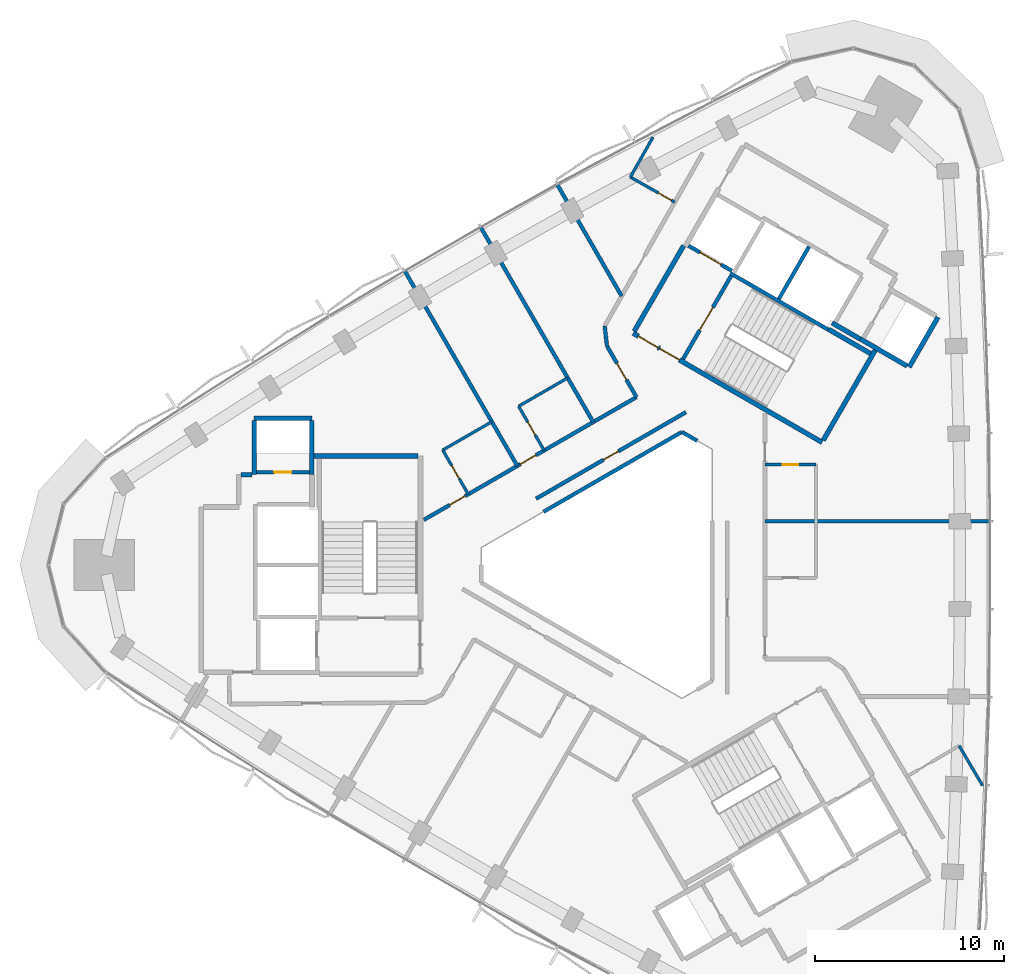
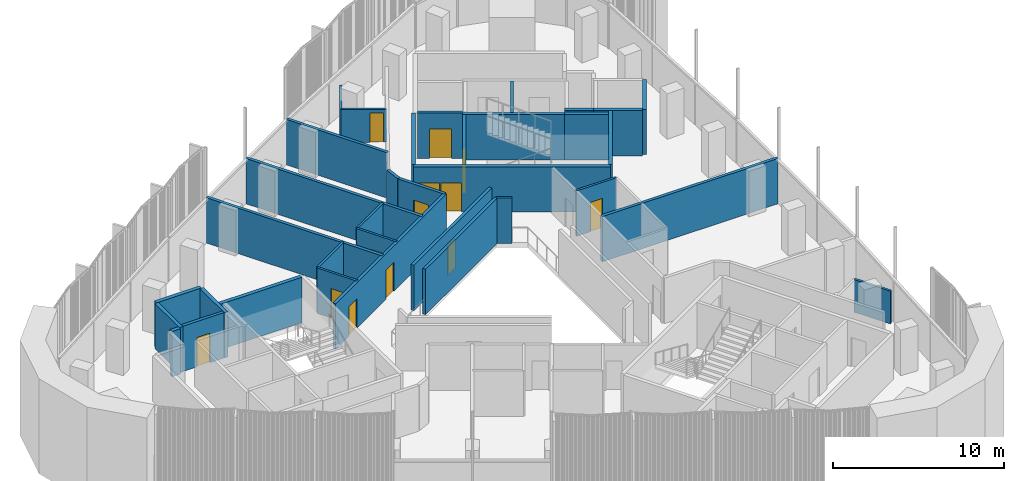
# One storey, part 9 of 13: 35 walls, 13 doors, 13 openings.
"""IFC4 building model written with IfcOpenShell, lengths in metres."""

from ifc_helpers import new_model, si_unit, direction, frame, frame_2d, origin, place, context, subcontext, project, spatial, rectangle, extrude, material, layer, layer_set, type_object, element, fill, save


model = new_model("IFC4")

# Units and contexts
model_context = context("Model", 3, precision=1e-05, world=origin(), true_north=direction((0.0, 1.0)))
body_context = subcontext(model_context, "Body", "Model", "MODEL_VIEW")
ifc_project = project(units=[si_unit("LENGTHUNIT", "METRE"), si_unit("AREAUNIT", "SQUARE_METRE"), si_unit("VOLUMEUNIT", "CUBIC_METRE"), si_unit("PLANEANGLEUNIT", "RADIAN"), si_unit("MASSUNIT", "GRAM", prefix="KILO")], contexts=[model_context])

# Site, building, storey
site_placement = place(None, origin())
site = spatial("IfcSite", under=ifc_project, at=site_placement, CompositionType="ELEMENT")
building_placement = place(site_placement, origin())
building = spatial("IfcBuilding", under=site, at=building_placement, Name="Tamra Quay Hotel Tower", CompositionType="ELEMENT")
storey_placement = place(building_placement, frame((0.0, 0.0, 204.39990234375)))
storey = spatial("IfcBuildingStorey", under=building, at=storey_placement, Name="L51", CompositionType="ELEMENT", Elevation=204.39990234375)

# Wall, opening, door
ifc_material_1 = material(Name="Concrete M70", Category="concrete")
ifc_layer_1 = layer(ifc_material_1, 0.199951171875)
ifc_layer_set_1 = layer_set([ifc_layer_1], Name="Concrete M70 core wall 200")
wall_type_1 = type_object("IfcWallType", Name="Concrete M70 core wall 200", PredefinedType="SHEAR", material=ifc_layer_set_1)
wall_1_placement = place(storey_placement, frame((-19.51123046875, 4.91015625, 0.0), z_axis=(0.0, 0.0, 1.0), x_axis=(1.0, 0.0, 0.0)))
wall_1 = element("IfcWall", 1, at=wall_1_placement, inside=storey, type_object=wall_type_1, Name="CW2", PredefinedType="SHEAR", context=body_context, shape_type="SweptSolid", body=[
    extrude(rectangle(XDim=2.7978515625, YDim=0.199951171875, at=frame_2d((1.39892578125, 0.0))), origin(), (0.0, 0.0, 1.0), 3.25),
])
opening_1_placement = place(wall_1_placement, frame((0.948974609375, 0.0, 0.0)))
opening_1 = element("IfcOpeningElement", 2, at=opening_1_placement, cuts=wall_1, Name="Opening D1", PredefinedType="OPENING", context=body_context, shape_type="SweptSolid", body=[
    extrude(rectangle(XDim=0.89990234375, YDim=2.10009765625, at=frame_2d((0.449951171875, 1.050048828125))), frame((0.0, 0.10986328125, 0.0), z_axis=(0.0, -1.0, 0.0), x_axis=(1.0, 0.0, 0.0)), (0.0, 0.0, 1.0), 0.219970703125),
])
ifc_material_2 = material(Name="Core door D1 900x2100 RH")
door_type_1 = type_object("IfcDoorType", Name="Core door D1 900x2100 RH", OperationType="NOTDEFINED", PredefinedType="DOOR", material=ifc_material_2)
door_1_placement = place(opening_1_placement, origin())
door_1 = element("IfcDoor", 3, at=door_1_placement, inside=storey, type_object=door_type_1, Name="D1", OperationType="SINGLE_SWING_RIGHT", OverallHeight=2.10009765625, OverallWidth=0.89990234375, PredefinedType="DOOR", context=body_context, shape_type="SweptSolid", body=[
    extrude(rectangle(XDim=0.89990234375, YDim=2.10009765625, at=frame_2d((0.449951171875, 1.050048828125))), frame((0.0, 0.02490234375, 0.0), z_axis=(0.0, -1.0, 0.0), x_axis=(1.0, 0.0, 0.0)), (0.0, 0.0, 1.0), 0.050048828125),
])
fill(opening_1, door_1)

# Wall
wall_2_placement = place(storey_placement, frame((10.7431640625, 12.4599609375, 0.0), z_axis=(0.0, 0.0, 1.0), x_axis=(-0.866018848283, 0.500011354289, 0.0)))
element("IfcWall", 4, at=wall_2_placement, inside=storey, type_object=wall_type_1, Name="CW2", PredefinedType="SHEAR", context=body_context, shape_type="SweptSolid", body=[
    extrude(rectangle(XDim=5.973876953125, YDim=0.199951171875, at=frame_2d((2.98681640625, 0.0))), origin(), (0.0, 0.0, 1.0), 3.25),
])

# Wall, opening, door
wall_3_placement = place(storey_placement, frame((3.056640625, 10.89453125, 0.0), z_axis=(0.0, 0.0, 1.0), x_axis=(0.500027839223, 0.866009330205, 0.0)))
wall_3 = element("IfcWall", 5, at=wall_3_placement, inside=storey, type_object=wall_type_1, Name="CW2", PredefinedType="SHEAR", context=body_context, shape_type="SweptSolid", body=[
    extrude(rectangle(XDim=5.097900390625, YDim=0.199951171875, at=frame_2d((2.548828125, 0.0))), origin(), (0.0, 0.0, 1.0), 3.25),
])
opening_2_placement = place(wall_3_placement, frame((1.77392578125, 0.0, 0.0)))
opening_2 = element("IfcOpeningElement", 6, at=opening_2_placement, cuts=wall_3, Name="Opening FD2", PredefinedType="OPENING", context=body_context, shape_type="SweptSolid", body=[
    extrude(rectangle(XDim=1.39990234375, YDim=2.10009765625, at=frame_2d((0.699951171875, 1.050048828125))), frame((0.0, 0.10986328125, 0.0), z_axis=(0.0, -1.0, 0.0), x_axis=(1.0, 0.0, 0.0)), (0.0, 0.0, 1.0), 0.219970703125),
])
ifc_material_3 = material(Name="Core door FD2 1400x2100 LH")
door_type_2 = type_object("IfcDoorType", Name="Core door FD2 1400x2100 LH", OperationType="NOTDEFINED", PredefinedType="DOOR", material=ifc_material_3)
door_2_placement = place(opening_2_placement, origin())
door_2 = element("IfcDoor", 7, at=door_2_placement, inside=storey, type_object=door_type_2, Name="FD2", OperationType="SINGLE_SWING_LEFT", OverallHeight=2.10009765625, OverallWidth=1.39990234375, PredefinedType="DOOR", context=body_context, shape_type="SweptSolid", body=[
    extrude(rectangle(XDim=1.39990234375, YDim=2.10009765625, at=frame_2d((0.699951171875, 1.050048828125))), frame((0.0, 0.02490234375, 0.0), z_axis=(0.0, -1.0, 0.0), x_axis=(1.0, 0.0, 0.0)), (0.0, 0.0, 1.0), 0.050048828125),
])
fill(opening_2, door_2)

# Wall
wall_4_placement = place(storey_placement, frame((8.131591796875, 14.08447265625, 0.0), z_axis=(0.0, 0.0, 1.0), x_axis=(0.500030834389, 0.86600760081, 0.0)))
element("IfcWall", 8, at=wall_4_placement, inside=storey, type_object=wall_type_1, Name="CW2", PredefinedType="SHEAR", context=body_context, shape_type="SweptSolid", body=[
    extrude(rectangle(XDim=3.197998046875, YDim=0.199951171875, at=frame_2d((1.59912109375, 0.0))), origin(), (0.0, 0.0, 1.0), 3.25),
])

# Wall, opening, door
wall_5_placement = place(storey_placement, frame((5.646240234375, 15.575927734375, 0.0), z_axis=(0.0, 0.0, 1.0), x_axis=(-0.866018407898, 0.500012117035, 0.0)))
wall_5 = element("IfcWall", 9, at=wall_5_placement, inside=storey, type_object=wall_type_1, Name="CW2", PredefinedType="SHEAR", context=body_context, shape_type="SweptSolid", body=[
    extrude(rectangle(XDim=2.65087890625, YDim=0.199951171875, at=frame_2d((1.325439453125, 0.0))), origin(), (0.0, 0.0, 1.0), 3.25),
])
opening_3_placement = place(wall_5_placement, frame((0.65185546875, 0.0, 0.0)))
opening_3 = element("IfcOpeningElement", 10, at=opening_3_placement, cuts=wall_5, Name="Opening LD", PredefinedType="OPENING", context=body_context, shape_type="SweptSolid", body=[
    extrude(rectangle(XDim=1.300048828125, YDim=2.10009765625, at=frame_2d((0.64990234375, 1.050048828125))), frame((0.0, 0.10986328125, 0.0), z_axis=(0.0, -1.0, 0.0), x_axis=(1.0, 0.0, 0.0)), (0.0, 0.0, 1.0), 0.219970703125),
])
ifc_material_4 = material(Name="Landing door LD 1300 sliding to left")
door_type_3 = type_object("IfcDoorType", Name="Landing door LD 1300 sliding to left", OperationType="NOTDEFINED", PredefinedType="DOOR", material=ifc_material_4)
door_3_placement = place(opening_3_placement, origin())
door_3 = element("IfcDoor", 11, at=door_3_placement, inside=storey, type_object=door_type_3, Name="LD", OperationType="SLIDING_TO_LEFT", OverallHeight=2.10009765625, OverallWidth=1.300048828125, PredefinedType="DOOR", context=body_context, shape_type="SweptSolid", body=[
    extrude(rectangle(XDim=1.300048828125, YDim=2.10009765625, at=frame_2d((0.64990234375, 1.050048828125))), frame((0.0, 0.02490234375, 0.0), z_axis=(0.0, -1.0, 0.0), x_axis=(1.0, 0.0, 0.0)), (0.0, 0.0, 1.0), 0.050048828125),
])
fill(opening_3, door_3)

# Walls
ifc_layer_2 = layer(ifc_material_1, 0.25)
ifc_layer_set_2 = layer_set([ifc_layer_2], Name="Concrete M70 core wall 250")
wall_type_2 = type_object("IfcWallType", Name="Concrete M70 core wall 250", PredefinedType="SHEAR", material=ifc_layer_set_2)
wall_6_placement = place(storey_placement, frame((-16.47216796875, 5.77490234375, 0.0), z_axis=(0.0, 0.0, 1.0), x_axis=(1.0, 0.0, 0.0)))
element("IfcWall", 12, at=wall_6_placement, inside=storey, type_object=wall_type_2, Name="CW1", PredefinedType="SHEAR", context=body_context, shape_type="SweptSolid", body=[
    extrude(rectangle(XDim=5.509521484375, YDim=0.25, at=frame_2d((2.7548828125, 0.0))), origin(), (0.0, 0.0, 1.0), 3.25),
])
wall_7_placement = place(storey_placement, frame((-19.63720703125, 7.77490234375, 0.0), z_axis=(0.0, 0.0, 1.0), x_axis=(1.0, 0.0, 0.0)))
element("IfcWall", 13, at=wall_7_placement, inside=storey, type_object=wall_type_2, Name="CW1", PredefinedType="SHEAR", context=body_context, shape_type="SweptSolid", body=[
    extrude(rectangle(XDim=3.0498046875, YDim=0.25, at=frame_2d((1.52490234375, 0.0))), origin(), (0.0, 0.0, 1.0), 3.25),
])
for number, where, z_axis, x_axis, name in (
    (14, (-16.58740234375, 7.649658203125, 0.0), (0.0, 0.0, 1.0), (0.0, -1.0, 0.0), "CW1"),
    (15, (-19.63720703125, 4.784912109375, 0.0), (0.0, 0.0, 1.0), (0.0, 1.0, 0.0), "CW1"),
):
    element("IfcWall", number, at=place(storey_placement, frame(where, z_axis=z_axis, x_axis=x_axis)), inside=storey, type_object=wall_type_2, Name=name, PredefinedType="SHEAR", context=body_context, shape_type="SweptSolid", body=[
        extrude(rectangle(XDim=2.86474609375, YDim=0.25, at=frame_2d((1.432373046875, 0.0))), origin(), (0.0, 0.0, 1.0), 3.25),
    ])
wall_8_placement = place(storey_placement, frame((-20.32177734375, 4.784912109375, 0.0), z_axis=(0.0, 0.0, 1.0), x_axis=(1.0, 0.0, 0.0)))
element("IfcWall", 16, at=wall_8_placement, inside=storey, type_object=wall_type_2, Name="CW1", PredefinedType="SHEAR", context=body_context, shape_type="SweptSolid", body=[
    extrude(rectangle(XDim=0.55908203125, YDim=0.25, at=frame_2d((0.279541015625, 0.0))), origin(), (0.0, 0.0, 1.0), 3.25),
])

# Wall, openings, doors
wall_9_placement = place(storey_placement, frame((10.419921875, 6.497802734375, 0.0), z_axis=(0.0, 0.0, 1.0), x_axis=(-0.866021906294, 0.500006057782, 0.0)))
wall_9 = element("IfcWall", 17, at=wall_9_placement, inside=storey, type_object=wall_type_2, Name="CW1", PredefinedType="SHEAR", context=body_context, shape_type="SweptSolid", body=[
    extrude(rectangle(XDim=11.550048828125, YDim=0.25, at=frame_2d((5.77490234375, 0.0))), origin(), (0.0, 0.0, 1.0), 3.25),
])
opening_4_placement = place(wall_9_placement, frame((10.02490234375, 0.0, 0.0)))
opening_4 = element("IfcOpeningElement", 18, at=opening_4_placement, cuts=wall_9, Name="Opening FD1", PredefinedType="OPENING", context=body_context, shape_type="SweptSolid", body=[
    extrude(rectangle(XDim=1.199951171875, YDim=2.10009765625, at=frame_2d((0.60009765625, 1.050048828125))), frame((0.0, 0.135009765625, 0.0), z_axis=(0.0, -1.0, 0.0), x_axis=(1.0, 0.0, 0.0)), (0.0, 0.0, 1.0), 0.27001953125),
])
opening_5_placement = place(wall_9_placement, frame((8.724853515625, 0.0, 0.0)))
opening_5 = element("IfcOpeningElement", 19, at=opening_5_placement, cuts=wall_9, Name="Opening FD1", PredefinedType="OPENING", context=body_context, shape_type="SweptSolid", body=[
    extrude(rectangle(XDim=1.199951171875, YDim=2.10009765625, at=frame_2d((0.60009765625, 1.050048828125))), frame((0.0, 0.135009765625, 0.0), z_axis=(0.0, -1.0, 0.0), x_axis=(1.0, 0.0, 0.0)), (0.0, 0.0, 1.0), 0.27001953125),
])
ifc_material_5 = material(Name="Core door FD1 1200x2100 LH")
door_type_4 = type_object("IfcDoorType", Name="Core door FD1 1200x2100 LH", OperationType="NOTDEFINED", PredefinedType="DOOR", material=ifc_material_5)
door_4_placement = place(opening_4_placement, origin())
door_4 = element("IfcDoor", 20, at=door_4_placement, inside=storey, type_object=door_type_4, Name="FD1", OperationType="SINGLE_SWING_LEFT", OverallHeight=2.10009765625, OverallWidth=1.199951171875, PredefinedType="DOOR", context=body_context, shape_type="SweptSolid", body=[
    extrude(rectangle(XDim=1.199951171875, YDim=2.10009765625, at=frame_2d((0.60009765625, 1.050048828125))), frame((0.0, 0.02490234375, 0.0), z_axis=(0.0, -1.0, 0.0), x_axis=(1.0, 0.0, 0.0)), (0.0, 0.0, 1.0), 0.050048828125),
])
fill(opening_4, door_4)
ifc_material_6 = material(Name="Core door FD1 1200x2100 RH")
door_type_5 = type_object("IfcDoorType", Name="Core door FD1 1200x2100 RH", OperationType="NOTDEFINED", PredefinedType="DOOR", material=ifc_material_6)
door_5_placement = place(opening_5_placement, origin())
door_5 = element("IfcDoor", 21, at=door_5_placement, inside=storey, type_object=door_type_5, Name="FD1", OperationType="SINGLE_SWING_RIGHT", OverallHeight=2.10009765625, OverallWidth=1.199951171875, PredefinedType="DOOR", context=body_context, shape_type="SweptSolid", body=[
    extrude(rectangle(XDim=1.199951171875, YDim=2.10009765625, at=frame_2d((0.60009765625, 1.050048828125))), frame((0.0, 0.02490234375, 0.0), z_axis=(0.0, -1.0, 0.0), x_axis=(1.0, 0.0, 0.0)), (0.0, 0.0, 1.0), 0.050048828125),
])
fill(opening_5, door_5)

# Walls
wall_10_placement = place(storey_placement, frame((0.47998046875, 12.38134765625, 0.0), z_axis=(0.0, 0.0, 1.0), x_axis=(0.49999885962, 0.866026062182, 0.0)))
element("IfcWall", 22, at=wall_10_placement, inside=storey, type_object=wall_type_2, Name="CW1", PredefinedType="SHEAR", context=body_context, shape_type="SweptSolid", body=[
    extrude(rectangle(XDim=5.224609375, YDim=0.25, at=frame_2d((2.6123046875, 0.0))), origin(), (0.0, 0.0, 1.0), 3.25),
])
wall_11_placement = place(storey_placement, frame((13.237548828125, 11.3779296875, 0.0), z_axis=(0.0, 0.0, 1.0), x_axis=(-0.500008851346, -0.866020293397, 0.0)))
element("IfcWall", 23, at=wall_11_placement, inside=storey, type_object=wall_type_2, Name="CW1", PredefinedType="SHEAR", context=body_context, shape_type="SweptSolid", body=[
    extrude(rectangle(XDim=5.509765625, YDim=0.25, at=frame_2d((2.7548828125, 0.0))), origin(), (0.0, 0.0, 1.0), 3.25),
])
wall_12_placement = place(storey_placement, frame((16.552001953125, 13.118896484375, 0.0), z_axis=(0.0, 0.0, 1.0), x_axis=(-0.499978833458, -0.866037623948, 0.0)))
element("IfcWall", 24, at=wall_12_placement, inside=storey, type_object=wall_type_2, Name="CW1", PredefinedType="SHEAR", context=body_context, shape_type="SweptSolid", body=[
    extrude(rectangle(XDim=3.050048828125, YDim=0.25, at=frame_2d((1.52490234375, 0.0))), origin(), (0.0, 0.0, 1.0), 3.25),
])
wall_13_placement = place(storey_placement, frame((14.91845703125, 10.540283203125, 0.0), z_axis=(0.0, 0.0, 1.0), x_axis=(-0.866063538972, 0.499933942099, 0.0)))
element("IfcWall", 25, at=wall_13_placement, inside=storey, type_object=wall_type_2, Name="CW1", PredefinedType="SHEAR", context=body_context, shape_type="SweptSolid", body=[
    extrude(rectangle(XDim=2.86474609375, YDim=0.25, at=frame_2d((1.432373046875, 0.0))), origin(), (0.0, 0.0, 1.0), 3.25),
])
wall_14_placement = place(storey_placement, frame((10.756591796875, 12.481201171875, 0.0), z_axis=(0.0, 0.0, 1.0), x_axis=(0.866022940537, -0.500004266446, 0.0)))
element("IfcWall", 26, at=wall_14_placement, inside=storey, type_object=wall_type_2, Name="CW1", PredefinedType="SHEAR", context=body_context, shape_type="SweptSolid", body=[
    extrude(rectangle(XDim=2.57470703125, YDim=0.25, at=frame_2d((1.287353515625, 0.0))), origin(), (0.0, 0.0, 1.0), 3.25),
])
wall_15_placement = place(storey_placement, frame((12.4326171875, 11.9638671875, 0.0), z_axis=(0.0, 0.0, 1.0), x_axis=(-0.866038183914, 0.499977863513, 0.0)))
element("IfcWall", 27, at=wall_15_placement, inside=storey, type_object=wall_type_2, Name="CW1", PredefinedType="SHEAR", context=body_context, shape_type="SweptSolid", body=[
    extrude(rectangle(XDim=1.7099609375, YDim=0.25, at=frame_2d((0.85498046875, 0.0))), origin(), (0.0, 0.0, 1.0), 3.25),
])

# Wall, openings, doors
ifc_material_7 = material(Name="Partition corridor wall")
ifc_layer_3 = layer(ifc_material_7, 0.199951171875)
ifc_layer_set_3 = layer_set([ifc_layer_3], Name="Partition corridor wall")
wall_type_3 = type_object("IfcWallType", Name="Partition corridor wall", PredefinedType="PARTITIONING", material=ifc_layer_set_3)
wall_16_placement = place(storey_placement, frame((-10.65234375, 2.394287109375, 0.0), z_axis=(0.0, 0.0, 1.0), x_axis=(0.866016271077, 0.500015817979, 0.0)))
wall_16 = element("IfcWall", 28, at=wall_16_placement, inside=storey, type_object=wall_type_3, Name="W-C", PredefinedType="PARTITIONING", context=body_context, shape_type="SweptSolid", body=[
    extrude(rectangle(XDim=12.99072265625, YDim=0.199951171875, at=frame_2d((6.495361328125, 0.0))), origin(), (0.0, 0.0, 1.0), 3.25),
])
opening_6_placement = place(wall_16_placement, frame((5.897705078125, 0.0, 0.0)))
opening_6 = element("IfcOpeningElement", 29, at=opening_6_placement, cuts=wall_16, Name="Opening L51-D004", PredefinedType="OPENING", context=body_context, shape_type="SweptSolid", body=[
    extrude(rectangle(XDim=0.949951171875, YDim=2.10009765625, at=frame_2d((0.47509765625, 1.050048828125))), frame((0.0, 0.10986328125, 0.0), z_axis=(0.0, -1.0, 0.0), x_axis=(1.0, 0.0, 0.0)), (0.0, 0.0, 1.0), 0.219970703125),
])
opening_7_placement = place(wall_16_placement, frame((1.571044921875, 0.0, 0.0)))
opening_7 = element("IfcOpeningElement", 30, at=opening_7_placement, cuts=wall_16, Name="Opening L51-D006", PredefinedType="OPENING", context=body_context, shape_type="SweptSolid", body=[
    extrude(rectangle(XDim=0.949951171875, YDim=2.10009765625, at=frame_2d((0.47509765625, 1.050048828125))), frame((0.0, 0.10986328125, 0.0), z_axis=(0.0, -1.0, 0.0), x_axis=(1.0, 0.0, 0.0)), (0.0, 0.0, 1.0), 0.219970703125),
])
ifc_material_8 = material(Name="Door guest room 950x2100")
door_type_6 = type_object("IfcDoorType", Name="Door guest room 950x2100", OperationType="NOTDEFINED", PredefinedType="DOOR", material=ifc_material_8)
door_6_placement = place(opening_6_placement, origin())
door_6 = element("IfcDoor", 31, at=door_6_placement, inside=storey, type_object=door_type_6, Name="L51-D004", OperationType="SINGLE_SWING_LEFT", OverallHeight=2.10009765625, OverallWidth=0.949951171875, PredefinedType="DOOR", context=body_context, shape_type="SweptSolid", body=[
    extrude(rectangle(XDim=0.949951171875, YDim=2.10009765625, at=frame_2d((0.47509765625, 1.050048828125))), frame((0.0, 0.02490234375, 0.0), z_axis=(0.0, -1.0, 0.0), x_axis=(1.0, 0.0, 0.0)), (0.0, 0.0, 1.0), 0.050048828125),
])
fill(opening_6, door_6)
door_7_placement = place(opening_7_placement, origin())
door_7 = element("IfcDoor", 32, at=door_7_placement, inside=storey, type_object=door_type_6, Name="L51-D006", OperationType="SINGLE_SWING_LEFT", OverallHeight=2.10009765625, OverallWidth=0.949951171875, PredefinedType="DOOR", context=body_context, shape_type="SweptSolid", body=[
    extrude(rectangle(XDim=0.949951171875, YDim=2.10009765625, at=frame_2d((0.47509765625, 1.050048828125))), frame((0.0, 0.02490234375, 0.0), z_axis=(0.0, -1.0, 0.0), x_axis=(1.0, 0.0, 0.0)), (0.0, 0.0, 1.0), 0.050048828125),
])
fill(opening_7, door_7)

# Wall, opening, door
wall_17_placement = place(storey_placement, frame((-4.718017578125, 3.510986328125, 0.0), z_axis=(0.0, 0.0, 1.0), x_axis=(0.865989775611, 0.500061704731, 0.0)))
wall_17 = element("IfcWall", 33, at=wall_17_placement, inside=storey, type_object=wall_type_3, Name="W-C", PredefinedType="PARTITIONING", context=body_context, shape_type="SweptSolid", body=[
    extrude(rectangle(XDim=9.156982421875, YDim=0.199951171875, at=frame_2d((4.57861328125, 0.0))), origin(), (0.0, 0.0, 1.0), 3.25),
])
opening_8_placement = place(wall_17_placement, frame((4.12841796875, 0.0, 0.0)))
opening_8 = element("IfcOpeningElement", 34, at=opening_8_placement, cuts=wall_17, Name="Opening L51-D021", PredefinedType="OPENING", context=body_context, shape_type="SweptSolid", body=[
    extrude(rectangle(XDim=0.89990234375, YDim=2.10009765625, at=frame_2d((0.449951171875, 1.050048828125))), frame((0.0, 0.10986328125, 0.0), z_axis=(0.0, -1.0, 0.0), x_axis=(1.0, 0.0, 0.0)), (0.0, 0.0, 1.0), 0.219970703125),
])
ifc_material_9 = material(Name="Door service room 900x2100")
door_type_7 = type_object("IfcDoorType", Name="Door service room 900x2100", OperationType="NOTDEFINED", PredefinedType="DOOR", material=ifc_material_9)
door_8_placement = place(opening_8_placement, frame((0.89990234375, 0.0, 0.0), z_axis=(0.0, 0.0, 1.0), x_axis=(-1.0, 0.0, 0.0)))
door_8 = element("IfcDoor", 35, at=door_8_placement, inside=storey, type_object=door_type_7, Name="L51-D021", OperationType="SINGLE_SWING_LEFT", OverallHeight=2.10009765625, OverallWidth=0.89990234375, PredefinedType="DOOR", context=body_context, shape_type="SweptSolid", body=[
    extrude(rectangle(XDim=0.89990234375, YDim=2.10009765625, at=frame_2d((0.449951171875, 1.050048828125))), frame((0.0, 0.02490234375, 0.0), z_axis=(0.0, -1.0, 0.0), x_axis=(1.0, 0.0, 0.0)), (0.0, 0.0, 1.0), 0.050048828125),
])
fill(opening_8, door_8)

# Wall
wall_18_placement = place(storey_placement, frame((-1.0849609375, 12.64990234375, 0.0), z_axis=(0.0, 0.0, 1.0), x_axis=(0.113812454263, -0.993502252264, 0.0)))
element("IfcWall", 36, at=wall_18_placement, inside=storey, type_object=wall_type_3, Name="W-C", PredefinedType="PARTITIONING", context=body_context, shape_type="SweptSolid", body=[
    extrude(rectangle(XDim=1.061767578125, YDim=0.199951171875, at=frame_2d((0.53076171875, 0.0))), origin(), (0.0, 0.0, 1.0), 3.25),
])

# Wall, opening, door
wall_19_placement = place(storey_placement, frame((-0.964111328125, 11.594970703125, 0.0), z_axis=(0.0, 0.0, 1.0), x_axis=(0.500056215256, -0.865992945458, 0.0)))
wall_19 = element("IfcWall", 37, at=wall_19_placement, inside=storey, type_object=wall_type_3, Name="W-C", PredefinedType="PARTITIONING", context=body_context, shape_type="SweptSolid", body=[
    extrude(rectangle(XDim=3.123779296875, YDim=0.199951171875, at=frame_2d((1.56201171875, 0.0))), origin(), (0.0, 0.0, 1.0), 3.25),
])
opening_9_placement = place(wall_19_placement, frame((1.061767578125, 0.0, 0.0)))
opening_9 = element("IfcOpeningElement", 38, at=opening_9_placement, cuts=wall_19, Name="Opening L51-D003", PredefinedType="OPENING", context=body_context, shape_type="SweptSolid", body=[
    extrude(rectangle(XDim=1.0, YDim=2.10009765625, at=frame_2d((0.5, 1.050048828125))), frame((0.0, 0.10986328125, 0.0), z_axis=(0.0, -1.0, 0.0), x_axis=(1.0, 0.0, 0.0)), (0.0, 0.0, 1.0), 0.219970703125),
])
ifc_material_10 = material(Name="Door guest room 1000x2100")
door_type_8 = type_object("IfcDoorType", Name="Door guest room 1000x2100", OperationType="NOTDEFINED", PredefinedType="DOOR", material=ifc_material_10)
door_9_placement = place(opening_9_placement, frame((1.0, 0.0, 0.0), z_axis=(0.0, 0.0, 1.0), x_axis=(-1.0, 0.0, 0.0)))
door_9 = element("IfcDoor", 39, at=door_9_placement, inside=storey, type_object=door_type_8, Name="L51-D003", OperationType="SINGLE_SWING_LEFT", OverallHeight=2.10009765625, OverallWidth=1.0, PredefinedType="DOOR", context=body_context, shape_type="SweptSolid", body=[
    extrude(rectangle(XDim=1.0, YDim=2.10009765625, at=frame_2d((0.5, 1.050048828125))), frame((0.0, 0.02490234375, 0.0), z_axis=(0.0, -1.0, 0.0), x_axis=(1.0, 0.0, 0.0)), (0.0, 0.0, 1.0), 0.050048828125),
])
fill(opening_9, door_9)

ifc_material_11 = material(Name="Partition en-suite wall")
ifc_layer_4 = layer(ifc_material_11, 0.14990234375)
ifc_layer_set_4 = layer_set([ifc_layer_4], Name="Partition en-suite wall")
wall_type_4 = type_object("IfcWallType", Name="Partition en-suite wall", PredefinedType="PARTITIONING", material=ifc_layer_set_4)
wall_20_placement = place(storey_placement, frame((-9.655029296875, 6.0849609375, 0.0), z_axis=(0.0, 0.0, 1.0), x_axis=(0.500129820725, -0.865950438779, 0.0)))
wall_20 = element("IfcWall", 40, at=wall_20_placement, inside=storey, type_object=wall_type_4, Name="W-E", PredefinedType="PARTITIONING", context=body_context, shape_type="SweptSolid", body=[
    extrude(rectangle(XDim=2.697509765625, YDim=0.14990234375, at=frame_2d((1.3486328125, 0.0))), origin(), (0.0, 0.0, 1.0), 3.25),
])
opening_10_placement = place(wall_20_placement, frame((0.947509765625, 0.0, 0.0)))
opening_10 = element("IfcOpeningElement", 41, at=opening_10_placement, cuts=wall_20, Name="Opening L51-D007", PredefinedType="OPENING", context=body_context, shape_type="SweptSolid", body=[
    extrude(rectangle(XDim=0.800048828125, YDim=2.10009765625, at=frame_2d((0.39990234375, 1.050048828125))), frame((0.0, 0.0849609375, 0.0), z_axis=(0.0, -1.0, 0.0), x_axis=(1.0, 0.0, 0.0)), (0.0, 0.0, 1.0), 0.169921875),
])
ifc_material_12 = material(Name="Door en-suite 800x2100")
door_type_9 = type_object("IfcDoorType", Name="Door en-suite 800x2100", OperationType="NOTDEFINED", PredefinedType="DOOR", material=ifc_material_12)
door_10_placement = place(opening_10_placement, frame((0.800048828125, 0.0, 0.0), z_axis=(0.0, 0.0, 1.0), x_axis=(-1.0, 0.0, 0.0)))
door_10 = element("IfcDoor", 42, at=door_10_placement, inside=storey, type_object=door_type_9, Name="L51-D007", OperationType="SINGLE_SWING_LEFT", OverallHeight=2.10009765625, OverallWidth=0.800048828125, PredefinedType="DOOR", context=body_context, shape_type="SweptSolid", body=[
    extrude(rectangle(XDim=0.800048828125, YDim=2.10009765625, at=frame_2d((0.39990234375, 1.050048828125))), frame((0.0, 0.02490234375, 0.0), z_axis=(0.0, -1.0, 0.0), x_axis=(1.0, 0.0, 0.0)), (0.0, 0.0, 1.0), 0.050048828125),
])
fill(opening_10, door_10)

# Wall
wall_21_placement = place(storey_placement, frame((-9.653076171875, 6.089111328125, 0.0), z_axis=(0.0, 0.0, 1.0), x_axis=(0.866021254674, 0.500007186402, 0.0)))
element("IfcWall", 43, at=wall_21_placement, inside=storey, type_object=wall_type_4, Name="W-E", PredefinedType="PARTITIONING", context=body_context, shape_type="SweptSolid", body=[
    extrude(rectangle(XDim=2.99365234375, YDim=0.14990234375, at=frame_2d((1.496826171875, 0.0))), origin(), (0.0, 0.0, 1.0), 3.25),
])

# Wall, opening, door
wall_22_placement = place(storey_placement, frame((-5.639892578125, 8.406005859375, 0.0), z_axis=(0.0, 0.0, 1.0), x_axis=(0.50001992892, -0.866013897511, 0.0)))
wall_22 = element("IfcWall", 44, at=wall_22_placement, inside=storey, type_object=wall_type_4, Name="W-E", PredefinedType="PARTITIONING", context=body_context, shape_type="SweptSolid", body=[
    extrude(rectangle(XDim=2.69970703125, YDim=0.14990234375, at=frame_2d((1.349853515625, 0.0))), origin(), (0.0, 0.0, 1.0), 3.25),
])
opening_11_placement = place(wall_22_placement, frame((0.949951171875, 0.0, 0.0)))
opening_11 = element("IfcOpeningElement", 45, at=opening_11_placement, cuts=wall_22, Name="Opening L51-D005", PredefinedType="OPENING", context=body_context, shape_type="SweptSolid", body=[
    extrude(rectangle(XDim=0.800048828125, YDim=2.10009765625, at=frame_2d((0.39990234375, 1.050048828125))), frame((0.0, 0.0849609375, 0.0), z_axis=(0.0, -1.0, 0.0), x_axis=(1.0, 0.0, 0.0)), (0.0, 0.0, 1.0), 0.169921875),
])
door_11_placement = place(opening_11_placement, origin())
door_11 = element("IfcDoor", 46, at=door_11_placement, inside=storey, type_object=door_type_9, Name="L51-D005", OperationType="SINGLE_SWING_LEFT", OverallHeight=2.10009765625, OverallWidth=0.800048828125, PredefinedType="DOOR", context=body_context, shape_type="SweptSolid", body=[
    extrude(rectangle(XDim=0.800048828125, YDim=2.10009765625, at=frame_2d((0.39990234375, 1.050048828125))), frame((0.0, 0.02490234375, 0.0), z_axis=(0.0, -1.0, 0.0), x_axis=(1.0, 0.0, 0.0)), (0.0, 0.0, 1.0), 0.050048828125),
])
fill(opening_11, door_11)

# Wall
wall_23_placement = place(storey_placement, frame((-5.639892578125, 8.406005859375, 0.0), z_axis=(0.0, 0.0, 1.0), x_axis=(0.866010750942, 0.50002537861, 0.0)))
element("IfcWall", 47, at=wall_23_placement, inside=storey, type_object=wall_type_4, Name="W-E", PredefinedType="PARTITIONING", context=body_context, shape_type="SweptSolid", body=[
    extrude(rectangle(XDim=2.999755859375, YDim=0.14990234375, at=frame_2d((1.5, 0.0))), origin(), (0.0, 0.0, 1.0), 3.25),
])

# Wall, opening, door
wall_24_placement = place(storey_placement, frame((0.27392578125, 20.533935546875, 0.0), z_axis=(0.0, 0.0, 1.0), x_axis=(0.870234176559, -0.492638283072, 0.0)))
wall_24 = element("IfcWall", 48, at=wall_24_placement, inside=storey, type_object=wall_type_4, Name="W-E", PredefinedType="PARTITIONING", context=body_context, shape_type="SweptSolid", body=[
    extrude(rectangle(XDim=2.699462890625, YDim=0.14990234375, at=frame_2d((1.349609375, 0.0))), origin(), (0.0, 0.0, 1.0), 2.35009765625),
])
opening_12_placement = place(wall_24_placement, frame((1.69970703125, 0.0, 0.0)))
opening_12 = element("IfcOpeningElement", 49, at=opening_12_placement, cuts=wall_24, Name="Opening L51-D002", PredefinedType="OPENING", context=body_context, shape_type="SweptSolid", body=[
    extrude(rectangle(XDim=0.800048828125, YDim=2.10009765625, at=frame_2d((0.39990234375, 1.050048828125))), frame((0.0, 0.0849609375, 0.0), z_axis=(0.0, -1.0, 0.0), x_axis=(1.0, 0.0, 0.0)), (0.0, 0.0, 1.0), 0.169921875),
])
door_12_placement = place(opening_12_placement, frame((0.800048828125, 0.0, 0.0), z_axis=(0.0, 0.0, 1.0), x_axis=(-1.0, 0.0, 0.0)))
door_12 = element("IfcDoor", 50, at=door_12_placement, inside=storey, type_object=door_type_9, Name="L51-D002", OperationType="SINGLE_SWING_LEFT", OverallHeight=2.10009765625, OverallWidth=0.800048828125, PredefinedType="DOOR", context=body_context, shape_type="SweptSolid", body=[
    extrude(rectangle(XDim=0.800048828125, YDim=2.10009765625, at=frame_2d((0.39990234375, 1.050048828125))), frame((0.0, 0.02490234375, 0.0), z_axis=(0.0, -1.0, 0.0), x_axis=(1.0, 0.0, 0.0)), (0.0, 0.0, 1.0), 0.050048828125),
])
fill(opening_12, door_12)

# Wall
wall_25_placement = place(storey_placement, frame((0.27392578125, 20.533935546875, 0.0), z_axis=(0.0, 0.0, 1.0), x_axis=(0.492461641571, 0.870334149383, 0.0)))
element("IfcWall", 51, at=wall_25_placement, inside=storey, type_object=wall_type_4, Name="W-E", PredefinedType="PARTITIONING", context=body_context, shape_type="SweptSolid", body=[
    extrude(rectangle(XDim=2.4267578125, YDim=0.14990234375, at=frame_2d((1.21337890625, 0.0))), origin(), (0.0, 0.0, 1.0), 2.35009765625),
])

# Wall, opening, door
wall_26_placement = place(storey_placement, frame((7.40087890625, 5.319091796875, 0.0), z_axis=(0.0, 0.0, 1.0), x_axis=(1.0, 0.0, 0.0)))
wall_26 = element("IfcWall", 52, at=wall_26_placement, inside=storey, type_object=wall_type_4, Name="W-E", PredefinedType="PARTITIONING", context=body_context, shape_type="SweptSolid", body=[
    extrude(rectangle(XDim=2.697021484375, YDim=0.14990234375, at=frame_2d((1.3486328125, 0.0))), origin(), (0.0, 0.0, 1.0), 3.25),
])
opening_13_placement = place(wall_26_placement, frame((0.948974609375, 0.0, 0.0)))
opening_13 = element("IfcOpeningElement", 53, at=opening_13_placement, cuts=wall_26, Name="Opening L51-D019", PredefinedType="OPENING", context=body_context, shape_type="SweptSolid", body=[
    extrude(rectangle(XDim=0.800048828125, YDim=2.10009765625, at=frame_2d((0.39990234375, 1.050048828125))), frame((0.0, 0.0849609375, 0.0), z_axis=(0.0, -1.0, 0.0), x_axis=(1.0, 0.0, 0.0)), (0.0, 0.0, 1.0), 0.169921875),
])
door_13_placement = place(opening_13_placement, origin())
door_13 = element("IfcDoor", 54, at=door_13_placement, inside=storey, type_object=door_type_9, Name="L51-D019", OperationType="SINGLE_SWING_LEFT", OverallHeight=2.10009765625, OverallWidth=0.800048828125, PredefinedType="DOOR", context=body_context, shape_type="SweptSolid", body=[
    extrude(rectangle(XDim=0.800048828125, YDim=2.10009765625, at=frame_2d((0.39990234375, 1.050048828125))), frame((0.0, 0.02490234375, 0.0), z_axis=(0.0, -1.0, 0.0), x_axis=(1.0, 0.0, 0.0)), (0.0, 0.0, 1.0), 0.050048828125),
])
fill(opening_13, door_13)

# Walls
wall_27_placement = place(storey_placement, frame((17.672119140625, -9.56103515625, 0.0), z_axis=(0.0, 0.0, 1.0), x_axis=(0.507424524348, -0.86169620638, 0.0)))
element("IfcWall", 55, at=wall_27_placement, inside=storey, type_object=wall_type_4, Name="W-E", PredefinedType="PARTITIONING", context=body_context, shape_type="SweptSolid", body=[
    extrude(rectangle(XDim=2.453369140625, YDim=0.14990234375, at=frame_2d((1.2265625, 0.0))), origin(), (0.0, 0.0, 1.0), 2.35009765625),
])
ifc_material_13 = material(Name="Partition party wall")
ifc_layer_5 = layer(ifc_material_13, 0.199951171875)
ifc_layer_set_5 = layer_set([ifc_layer_5], Name="Partition party wall")
wall_type_5 = type_object("IfcWallType", Name="Partition party wall", PredefinedType="PARTITIONING", material=ifc_layer_set_5)
wall_28_placement = place(storey_placement, frame((-11.661376953125, 15.560546875, 0.0), z_axis=(0.0, 0.0, 1.0), x_axis=(0.499960887391, -0.866047984282, 0.0)))
element("IfcWall", 56, at=wall_28_placement, inside=storey, type_object=wall_type_5, Name="W-P", PredefinedType="PARTITIONING", context=body_context, shape_type="SweptSolid", body=[
    extrude(rectangle(XDim=11.90673828125, YDim=0.199951171875, at=frame_2d((5.953369140625, 0.0))), origin(), (0.0, 0.0, 1.0), 3.25),
])
wall_29_placement = place(storey_placement, frame((-7.6455078125, 17.87890625, 0.0), z_axis=(0.0, 0.0, 1.0), x_axis=(0.500042538917, -0.866000842536, 0.0)))
element("IfcWall", 57, at=wall_29_placement, inside=storey, type_object=wall_type_5, Name="W-P", PredefinedType="PARTITIONING", context=body_context, shape_type="SweptSolid", body=[
    extrude(rectangle(XDim=11.90625, YDim=0.199951171875, at=frame_2d((5.953125, 0.0))), origin(), (0.0, 0.0, 1.0), 3.25),
])
wall_30_placement = place(storey_placement, frame((-4.318115234375, 2.819091796875, 0.0), z_axis=(0.0, 0.0, 1.0), x_axis=(0.866038843867, 0.499976720371, 0.0)))
element("IfcWall", 58, at=wall_30_placement, inside=storey, type_object=wall_type_5, Name="W-P", PredefinedType="PARTITIONING", context=body_context, shape_type="SweptSolid", body=[
    extrude(rectangle(XDim=8.4501953125, YDim=0.199951171875, at=frame_2d((4.22509765625, 0.0))), origin(), (0.0, 0.0, 1.0), 3.25),
])
wall_31_placement = place(storey_placement, frame((-3.59765625, 20.14208984375, 0.0), z_axis=(0.0, 0.0, 1.0), x_axis=(0.499981732209, -0.866035950442, 0.0)))
element("IfcWall", 59, at=wall_31_placement, inside=storey, type_object=wall_type_5, Name="W-P", PredefinedType="PARTITIONING", context=body_context, shape_type="SweptSolid", body=[
    extrude(rectangle(XDim=6.819580078125, YDim=0.199951171875, at=frame_2d((3.40966796875, 0.0))), origin(), (0.0, 0.0, 1.0), 3.25),
])
wall_32_placement = place(storey_placement, frame((3.0, 7.0439453125, 0.0), z_axis=(0.0, 0.0, 1.0), x_axis=(0.865872609263, -0.500264554538, 0.0)))
element("IfcWall", 60, at=wall_32_placement, inside=storey, type_object=wall_type_5, Name="W-P", PredefinedType="PARTITIONING", context=body_context, shape_type="SweptSolid", body=[
    extrude(rectangle(XDim=0.935546875, YDim=0.199951171875, at=frame_2d((0.4677734375, 0.0))), origin(), (0.0, 0.0, 1.0), 3.25),
])
wall_33_placement = place(storey_placement, frame((7.39990234375, 2.319091796875, 0.0), z_axis=(0.0, 0.0, 1.0), x_axis=(1.0, 0.0, 0.0)))
element("IfcWall", 61, at=wall_33_placement, inside=storey, type_object=wall_type_5, Name="W-P", PredefinedType="PARTITIONING", context=body_context, shape_type="SweptSolid", body=[
    extrude(rectangle(XDim=11.906494140625, YDim=0.199951171875, at=frame_2d((5.953125, 0.0))), origin(), (0.0, 0.0, 1.0), 3.25),
])

save(model, "model.ifc")
